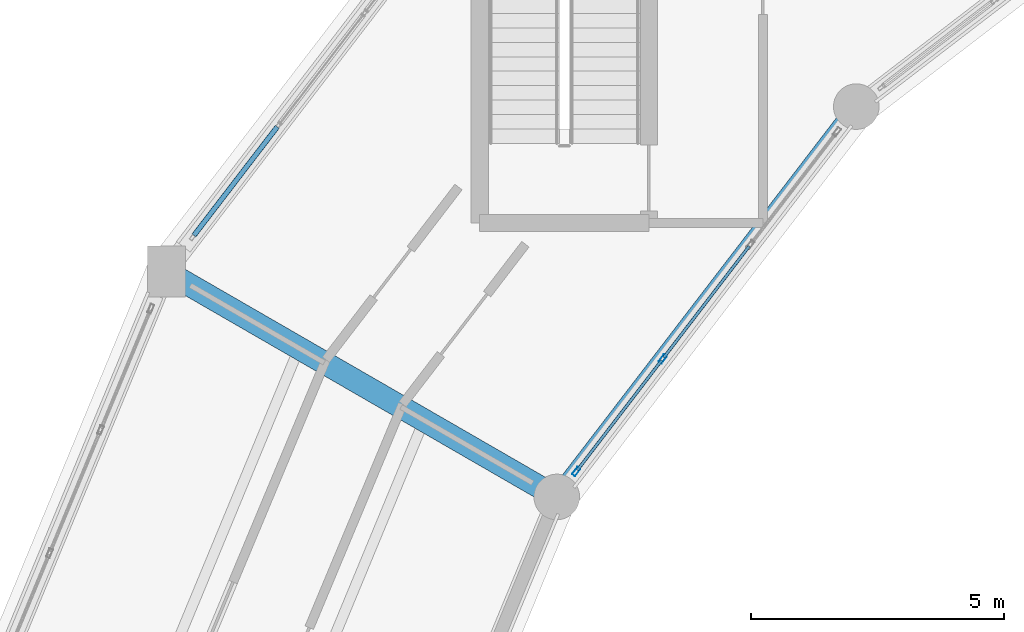
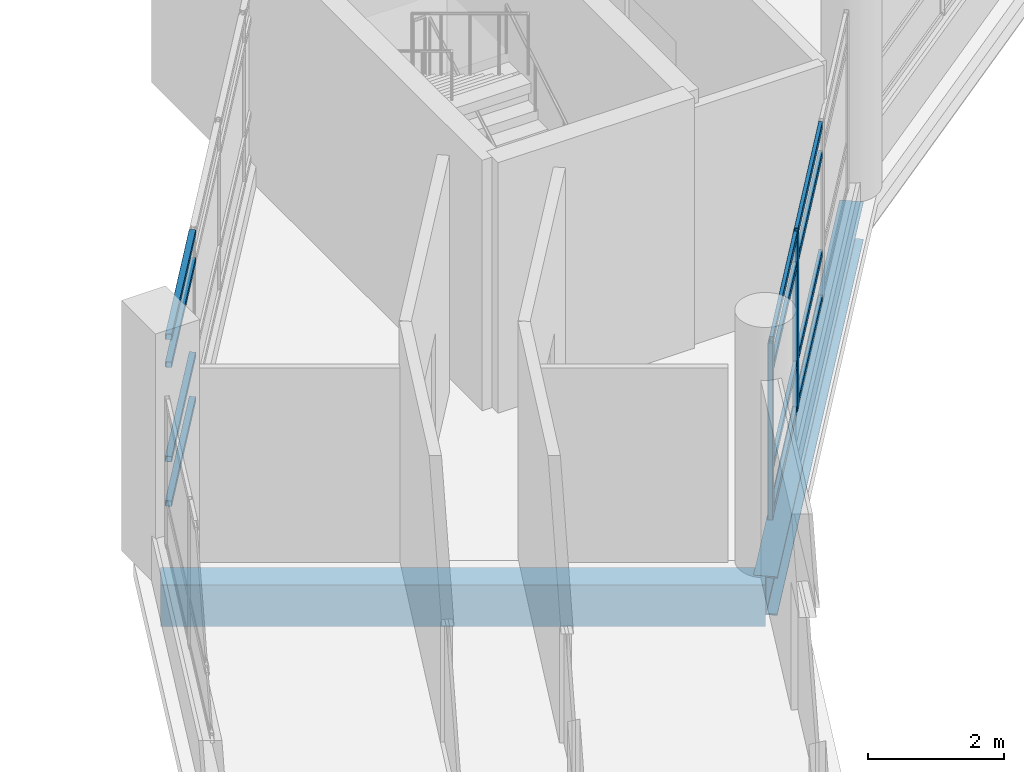
# One storey, part 49 of 129: 14 members, 2 beams, 2 elements without a shape of their own.
"""IFC4 building model written with IfcOpenShell, lengths in metres."""

from ifc_helpers import new_model, si_unit, direction, frame, origin, origin_2d, place, context, subcontext, project, spatial, rectangle, hollow_rectangle, i_section, extrude, material, layer, layer_set, material_profile, profile_set, type_object, element, aggregate, save


model = new_model("IFC4")

# Units and contexts
model_context = context("Model", 3, precision=1e-05, world=origin(), true_north=direction((0.0, 1.0)))
body_context = subcontext(model_context, "Body", "Model", "MODEL_VIEW")
ifc_project = project(units=[si_unit("LENGTHUNIT", "METRE"), si_unit("AREAUNIT", "SQUARE_METRE"), si_unit("VOLUMEUNIT", "CUBIC_METRE"), si_unit("PLANEANGLEUNIT", "RADIAN"), si_unit("MASSUNIT", "GRAM", prefix="KILO")], contexts=[model_context])

# Site, building, storey
site_placement = place(None, origin())
site = spatial("IfcSite", under=ifc_project, at=site_placement, CompositionType="ELEMENT")
building_placement = place(site_placement, origin())
building = spatial("IfcBuilding", under=site, at=building_placement, Name="Vespera Passage Community Centre", CompositionType="ELEMENT")
storey_placement = place(building_placement, origin())
storey = spatial("IfcBuildingStorey", under=building, at=storey_placement, Name="L00", CompositionType="ELEMENT", Elevation=0.0)

# Beams
ifc_material_1 = material(Name="Concrete f'c 35 MPa", Category="concrete")
ifc_material_profile_1 = material_profile(ifc_material_1, rectangle(XDim=0.449951171875, YDim=0.75, at=origin_2d()), Name="RC450X750")
ifc_profile_set_1 = profile_set([ifc_material_profile_1], Name="Concrete f'c 35 MPa")
beam_type_1 = type_object("IfcBeamType", Name="BM-G-450X750", PredefinedType="BEAM", material=ifc_profile_set_1)
beam_1_placement = place(storey_placement, frame((45.783935546875, 84.10009765625, -0.655029296875), z_axis=(-0.866031643847, 0.499989191739, 0.0), x_axis=(-0.499989191739, -0.866031643847, 0.0)))
element("IfcBeam", 1, at=beam_1_placement, inside=storey, type_object=beam_type_1, Name="V4 L00 Radial Girder 10", PredefinedType="BEAM", context=body_context, shape_type="SweptSolid", body=[
    extrude(rectangle(XDim=0.449951171875, YDim=0.75, at=origin_2d()), origin(), (0.0, 0.0, 1.0), 8.900146484375),
])
ifc_material_2 = material(Name="Steel ASTM A992 Grade 50", Category="steel")
ifc_material_profile_2 = material_profile(ifc_material_2, i_section(OverallWidth=0.3544921875, OverallDepth=0.695556640625, WebThickness=0.015380859375, FlangeThickness=0.024658203125, FilletRadius=0.01513671875, at=origin_2d()), Name="W27X146")
ifc_profile_set_2 = profile_set([ifc_material_profile_2], Name="Steel ASTM A992 Grade 50")
beam_type_2 = type_object("IfcBeamType", Name="BM-SP-W27X146E", PredefinedType="SPANDREL", material=ifc_profile_set_2)
beam_2_placement = place(storey_placement, frame((51.695556640625, 91.804443359375, -0.627685546875), z_axis=(-0.60875291963, -0.793359869694, 0.0), x_axis=(0.793359869694, -0.60875291963, 0.0)))
element("IfcBeam", 2, at=beam_2_placement, inside=storey, type_object=beam_type_2, Name="V4 L00 Inner Spandrel 9", PredefinedType="SPANDREL", context=body_context, shape_type="SweptSolid", body=[
    extrude(i_section(OverallWidth=0.3544921875, OverallDepth=0.695556640625, WebThickness=0.015380859375, FlangeThickness=0.024658203125, FilletRadius=0.01513671875, at=origin_2d()), origin(), (0.0, 0.0, 1.0), 9.7109375),
])

# Curtain wall, members
ifc_material_3 = material(Name="Anodized aluminium 6063-T6", Category="aluminium")
ifc_layer_1 = layer(ifc_material_3, 0.159912109375)
ifc_layer_set_1 = layer_set([ifc_layer_1], Name="Anodized aluminium 6063-T6")
curtain_wall_type_1 = type_object("IfcCurtainWallType", Name="CW-07E", PredefinedType="NOTDEFINED", material=ifc_layer_set_1)
curtain_wall_1_placement = place(storey_placement, origin())
curtain_wall_1 = element("IfcCurtainWall", 3, at=curtain_wall_1_placement, inside=storey, type_object=curtain_wall_type_1, Name="V4 L00 Inner Court Curtain Wall 9", PredefinedType="NOTDEFINED")
ifc_material_4 = material(Name="Anodized aluminium 6063-T6", Category="aluminium")
ifc_material_profile_3 = material_profile(ifc_material_4, hollow_rectangle(XDim=0.074951171875, YDim=0.179931640625, WallThickness=0.0048828125, InnerFilletRadius=0.00244140625, OuterFilletRadius=0.0048828125, at=origin_2d()), Name="ALU180X75X5")
ifc_profile_set_3 = profile_set([ifc_material_profile_3], Name="Anodized aluminium 6063-T6")
member_type_1 = type_object("IfcMemberType", Name="MB-CWM-180E", PredefinedType="MULLION", material=ifc_profile_set_3)
member_1_placement = place(storey_placement, frame((47.874755859375, 86.824951171875, 0.35009765625), z_axis=(0.0, 0.0, 1.0), x_axis=(0.793358205999, -0.608755087843, 0.0)))
member_1 = element("IfcMember", 4, at=member_1_placement, type_object=member_type_1, Name="CW-07E mullion 3", PredefinedType="MULLION", context=body_context, shape_type="SweptSolid", body=[
    extrude(hollow_rectangle(XDim=0.074951171875, YDim=0.179931640625, WallThickness=0.0048828125, InnerFilletRadius=0.00244140625, OuterFilletRadius=0.0048828125, at=origin_2d()), origin(), (0.0, 0.0, 1.0), 3.17919921875),
])
member_2_placement = place(storey_placement, frame((46.167724609375, 84.600341796875, 0.35009765625), z_axis=(0.0, 0.0, 1.0), x_axis=(0.793358205999, -0.608755087843, 0.0)))
member_2 = element("IfcMember", 5, at=member_2_placement, type_object=member_type_1, Name="CW-07E mullion 4", PredefinedType="MULLION", context=body_context, shape_type="SweptSolid", body=[
    extrude(hollow_rectangle(XDim=0.074951171875, YDim=0.179931640625, WallThickness=0.0048828125, InnerFilletRadius=0.00244140625, OuterFilletRadius=0.0048828125, at=origin_2d()), origin(), (0.0, 0.0, 1.0), 3.17919921875),
])

ifc_material_5 = material(Name="Anodized aluminium 6063-T6", Category="aluminium")
ifc_layer_2 = layer(ifc_material_5, 0.159912109375)
ifc_layer_set_2 = layer_set([ifc_layer_2], Name="Anodized aluminium 6063-T6")
curtain_wall_type_2 = type_object("IfcCurtainWallType", Name="CW-06E", PredefinedType="NOTDEFINED", material=ifc_layer_set_2)
curtain_wall_2_placement = place(storey_placement, origin())
curtain_wall_2 = element("IfcCurtainWall", 6, at=curtain_wall_2_placement, inside=storey, type_object=curtain_wall_type_2, Name="V4 L00 Outer Ribbon Curtain Wall 9", PredefinedType="NOTDEFINED")
ifc_material_6 = material(Name="Anodized aluminium 6063-T6", Category="aluminium")
ifc_material_profile_4 = material_profile(ifc_material_6, hollow_rectangle(XDim=0.10009765625, YDim=0.10009765625, WallThickness=0.00390625, InnerFilletRadius=0.001953125, OuterFilletRadius=0.00390625, at=origin_2d()), Name="ALU100X100X4")
ifc_profile_set_4 = profile_set([ifc_material_profile_4], Name="Anodized aluminium 6063-T6")
member_type_2 = type_object("IfcMemberType", Name="MB-CWT-100E", PredefinedType="USERDEFINED", material=ifc_profile_set_4)
member_3_placement = place(storey_placement, frame((38.62158203125, 89.260986328125, 0.39990234375), z_axis=(0.608806888702, 0.793318455772, 0.0), x_axis=(-0.793318455772, 0.608806888702, 0.0)))
member_3 = element("IfcMember", 7, at=member_3_placement, type_object=member_type_2, Name="CW-06E transom 1.1", ObjectType="TRANSOM", PredefinedType="USERDEFINED", context=body_context, shape_type="SweptSolid", body=[
    extrude(hollow_rectangle(XDim=0.10009765625, YDim=0.10009765625, WallThickness=0.00390625, InnerFilletRadius=0.001953125, OuterFilletRadius=0.00390625, at=origin_2d()), origin(), (0.0, 0.0, 1.0), 2.703125),
])
member_4_placement = place(storey_placement, frame((38.62158203125, 89.260986328125, 1.199951171875), z_axis=(0.608806888702, 0.793318455772, 0.0), x_axis=(-0.793318455772, 0.608806888702, 0.0)))
member_4 = element("IfcMember", 8, at=member_4_placement, type_object=member_type_2, Name="CW-06E transom 1.2", ObjectType="TRANSOM", PredefinedType="USERDEFINED", context=body_context, shape_type="SweptSolid", body=[
    extrude(hollow_rectangle(XDim=0.10009765625, YDim=0.10009765625, WallThickness=0.00390625, InnerFilletRadius=0.001953125, OuterFilletRadius=0.00390625, at=origin_2d()), origin(), (0.0, 0.0, 1.0), 2.703125),
])
member_5_placement = place(storey_placement, frame((38.62158203125, 89.260986328125, 2.8955078125), z_axis=(0.608806888702, 0.793318455772, 0.0), x_axis=(-0.793318455772, 0.608806888702, 0.0)))
member_5 = element("IfcMember", 9, at=member_5_placement, type_object=member_type_2, Name="CW-06E transom 1.3", ObjectType="TRANSOM", PredefinedType="USERDEFINED", context=body_context, shape_type="SweptSolid", body=[
    extrude(hollow_rectangle(XDim=0.10009765625, YDim=0.10009765625, WallThickness=0.00390625, InnerFilletRadius=0.001953125, OuterFilletRadius=0.00390625, at=origin_2d()), origin(), (0.0, 0.0, 1.0), 2.703125),
])
member_6_placement = place(storey_placement, frame((38.62158203125, 89.260986328125, 3.3955078125), z_axis=(0.608806888702, 0.793318455772, 0.0), x_axis=(-0.793318455772, 0.608806888702, 0.0)))
member_6 = element("IfcMember", 10, at=member_6_placement, type_object=member_type_2, Name="CW-06E transom 1.4", ObjectType="TRANSOM", PredefinedType="USERDEFINED", context=body_context, shape_type="SweptSolid", body=[
    extrude(hollow_rectangle(XDim=0.10009765625, YDim=0.10009765625, WallThickness=0.00390625, InnerFilletRadius=0.001953125, OuterFilletRadius=0.00390625, at=origin_2d()), origin(), (0.0, 0.0, 1.0), 2.703125),
])
aggregate(curtain_wall_2, [member_3, member_4, member_5, member_6])

# Member
ifc_material_7 = material(Name="Anodized aluminium 6063-T6", Category="aluminium")
ifc_material_profile_5 = material_profile(ifc_material_7, hollow_rectangle(XDim=0.06005859375, YDim=0.1201171875, WallThickness=0.00390625, InnerFilletRadius=0.001953125, OuterFilletRadius=0.00390625, at=origin_2d()), Name="ALU120X60X4")
ifc_profile_set_5 = profile_set([ifc_material_profile_5], Name="Anodized aluminium 6063-T6")
member_type_3 = type_object("IfcMemberType", Name="MB-CWT-120E", PredefinedType="USERDEFINED", material=ifc_profile_set_5)
member_7_placement = place(storey_placement, frame((49.581787109375, 89.049560546875, 0.3798828125), z_axis=(-0.608746452695, -0.793364831796, 0.0), x_axis=(0.793364831796, -0.608746452695, 0.0)))
member_7 = element("IfcMember", 11, at=member_7_placement, type_object=member_type_3, Name="CW-07E transom 2.1", ObjectType="TRANSOM", PredefinedType="USERDEFINED", context=body_context, shape_type="SweptSolid", body=[
    extrude(hollow_rectangle(XDim=0.06005859375, YDim=0.1201171875, WallThickness=0.00390625, InnerFilletRadius=0.001953125, OuterFilletRadius=0.00390625, at=origin_2d()), origin(), (0.0, 0.0, 1.0), 2.766357421875),
])

member_8_placement = place(storey_placement, frame((49.581787109375, 89.049560546875, 1.199951171875), z_axis=(-0.608746452695, -0.793364831796, 0.0), x_axis=(0.793364831796, -0.608746452695, 0.0)))
member_8 = element("IfcMember", 12, at=member_8_placement, type_object=member_type_3, Name="CW-07E transom 2.2", ObjectType="TRANSOM", PredefinedType="USERDEFINED", context=body_context, shape_type="SweptSolid", body=[
    extrude(hollow_rectangle(XDim=0.06005859375, YDim=0.1201171875, WallThickness=0.00390625, InnerFilletRadius=0.001953125, OuterFilletRadius=0.00390625, at=origin_2d()), origin(), (0.0, 0.0, 1.0), 2.766357421875),
])

member_9_placement = place(storey_placement, frame((49.581787109375, 89.049560546875, 2.9794921875), z_axis=(-0.608746452695, -0.793364831796, 0.0), x_axis=(0.793364831796, -0.608746452695, 0.0)))
member_9 = element("IfcMember", 13, at=member_9_placement, type_object=member_type_3, Name="CW-07E transom 2.3", ObjectType="TRANSOM", PredefinedType="USERDEFINED", context=body_context, shape_type="SweptSolid", body=[
    extrude(hollow_rectangle(XDim=0.06005859375, YDim=0.1201171875, WallThickness=0.00390625, InnerFilletRadius=0.001953125, OuterFilletRadius=0.00390625, at=origin_2d()), origin(), (0.0, 0.0, 1.0), 2.766357421875),
])

member_10_placement = place(storey_placement, frame((49.581787109375, 89.049560546875, 3.49951171875), z_axis=(-0.608746452695, -0.793364831796, 0.0), x_axis=(0.793364831796, -0.608746452695, 0.0)))
member_10 = element("IfcMember", 14, at=member_10_placement, type_object=member_type_3, Name="CW-07E transom 2.4", ObjectType="TRANSOM", PredefinedType="USERDEFINED", context=body_context, shape_type="SweptSolid", body=[
    extrude(hollow_rectangle(XDim=0.06005859375, YDim=0.1201171875, WallThickness=0.00390625, InnerFilletRadius=0.001953125, OuterFilletRadius=0.00390625, at=origin_2d()), origin(), (0.0, 0.0, 1.0), 2.766357421875),
])

member_11_placement = place(storey_placement, frame((47.85205078125, 86.795166015625, 0.3798828125), z_axis=(-0.608780813839, -0.793338465411, 0.0), x_axis=(0.793338465411, -0.608780813839, 0.0)))
member_11 = element("IfcMember", 15, at=member_11_placement, type_object=member_type_3, Name="CW-07E transom 3.1", ObjectType="TRANSOM", PredefinedType="USERDEFINED", context=body_context, shape_type="SweptSolid", body=[
    extrude(hollow_rectangle(XDim=0.06005859375, YDim=0.1201171875, WallThickness=0.00390625, InnerFilletRadius=0.001953125, OuterFilletRadius=0.00390625, at=origin_2d()), origin(), (0.0, 0.0, 1.0), 2.72900390625),
])

member_12_placement = place(storey_placement, frame((47.85205078125, 86.795166015625, 1.199951171875), z_axis=(-0.608780813839, -0.793338465411, 0.0), x_axis=(0.793338465411, -0.608780813839, 0.0)))
member_12 = element("IfcMember", 16, at=member_12_placement, type_object=member_type_3, Name="CW-07E transom 3.2", ObjectType="TRANSOM", PredefinedType="USERDEFINED", context=body_context, shape_type="SweptSolid", body=[
    extrude(hollow_rectangle(XDim=0.06005859375, YDim=0.1201171875, WallThickness=0.00390625, InnerFilletRadius=0.001953125, OuterFilletRadius=0.00390625, at=origin_2d()), origin(), (0.0, 0.0, 1.0), 2.72900390625),
])

member_13_placement = place(storey_placement, frame((47.85205078125, 86.795166015625, 2.9794921875), z_axis=(-0.608780813839, -0.793338465411, 0.0), x_axis=(0.793338465411, -0.608780813839, 0.0)))
member_13 = element("IfcMember", 17, at=member_13_placement, type_object=member_type_3, Name="CW-07E transom 3.3", ObjectType="TRANSOM", PredefinedType="USERDEFINED", context=body_context, shape_type="SweptSolid", body=[
    extrude(hollow_rectangle(XDim=0.06005859375, YDim=0.1201171875, WallThickness=0.00390625, InnerFilletRadius=0.001953125, OuterFilletRadius=0.00390625, at=origin_2d()), origin(), (0.0, 0.0, 1.0), 2.72900390625),
])

member_14_placement = place(storey_placement, frame((47.85205078125, 86.795166015625, 3.49951171875), z_axis=(-0.608780813839, -0.793338465411, 0.0), x_axis=(0.793338465411, -0.608780813839, 0.0)))
member_14 = element("IfcMember", 18, at=member_14_placement, type_object=member_type_3, Name="CW-07E transom 3.4", ObjectType="TRANSOM", PredefinedType="USERDEFINED", context=body_context, shape_type="SweptSolid", body=[
    extrude(hollow_rectangle(XDim=0.06005859375, YDim=0.1201171875, WallThickness=0.00390625, InnerFilletRadius=0.001953125, OuterFilletRadius=0.00390625, at=origin_2d()), origin(), (0.0, 0.0, 1.0), 2.72900390625),
])

aggregate(curtain_wall_1, [member_1, member_2, member_7, member_8, member_9, member_10, member_11, member_12, member_13, member_14])

save(model, "model.ifc")
